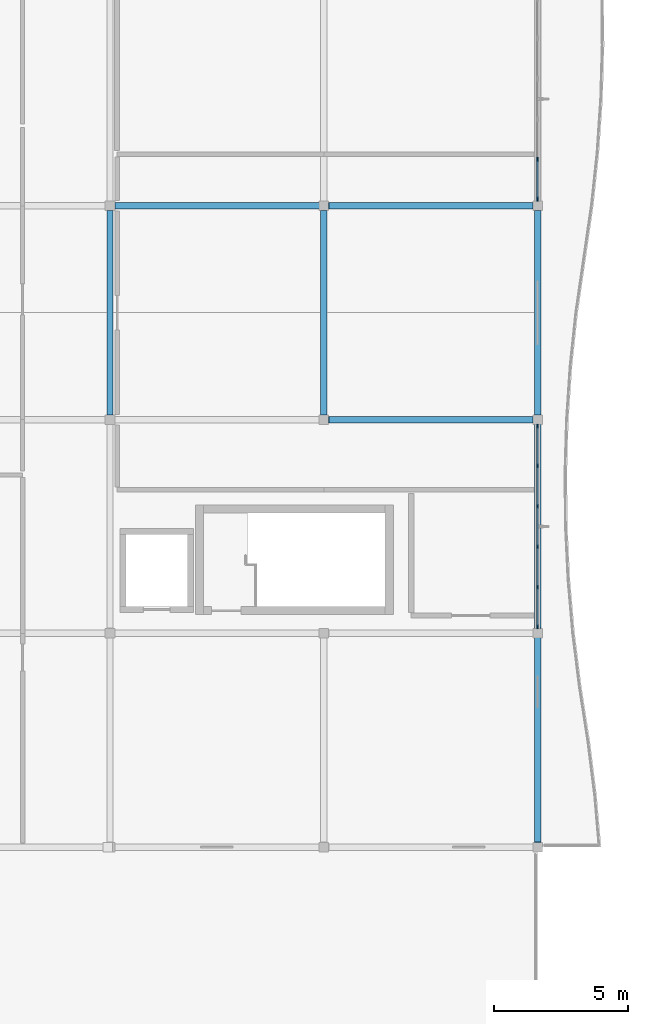
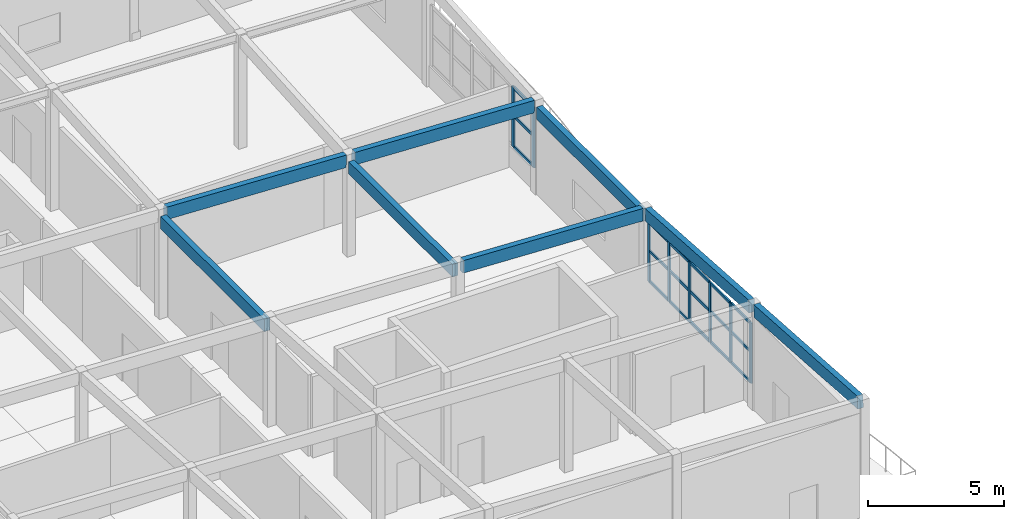
# One storey, part 6 of 52: 26 members, 8 beams, 2 elements without a shape of their own.
"""IFC4 building model written with IfcOpenShell, lengths in metres."""

from ifc_helpers import new_model, si_unit, direction, frame, origin, origin_2d, place, context, subcontext, project, spatial, rectangle, extrude, material, layer, layer_set, material_profile, profile_set, type_object, element, aggregate, save


model = new_model("IFC4")

# Units and contexts
model_context = context("Model", 3, precision=1e-05, world=origin(), true_north=direction((0.0, 1.0)))
body_context = subcontext(model_context, "Body", "Model", "MODEL_VIEW")
ifc_project = project(units=[si_unit("LENGTHUNIT", "METRE"), si_unit("AREAUNIT", "SQUARE_METRE"), si_unit("VOLUMEUNIT", "CUBIC_METRE"), si_unit("PLANEANGLEUNIT", "RADIAN"), si_unit("MASSUNIT", "GRAM", prefix="KILO")], contexts=[model_context])

# Site, building, storey
site_placement = place(None, origin())
site = spatial("IfcSite", under=ifc_project, at=site_placement, CompositionType="ELEMENT")
building_placement = place(site_placement, origin())
building = spatial("IfcBuilding", under=site, at=building_placement, Name="Tonlespit Floodbar School", CompositionType="ELEMENT")
storey_placement = place(building_placement, frame((0.0, 0.0, 12.300048828125)))
storey = spatial("IfcBuildingStorey", under=building, at=storey_placement, Name="L03", CompositionType="ELEMENT", Elevation=12.300048828125)

# Beams
ifc_material_1 = material(Name="Glulam GL28h", Category="wood")
ifc_material_profile_1 = material_profile(ifc_material_1, rectangle(XDim=0.239990234375, YDim=0.56005859375, at=origin_2d()), Name="GL 240x560")
ifc_profile_set_1 = profile_set([ifc_material_profile_1], Name="Glulam GL28h")
beam_type = type_object("IfcBeamType", Name="Beam_GL_240x560", PredefinedType="BEAM", material=ifc_profile_set_1)
for number, where, z_axis, x_axis, name in (
    (1, (28.179931640625, 72.0, 4.259521484375), (0.999091305073, 0.0, -0.042621169945), (0.0, 1.0, 0.0), "L03 girder 1154"),
    (2, (20.179931640625, 80.0, 4.6103515625), (0.999092664052, 0.0, -0.042589301906), (0.0, 1.0, 0.0), "L03 girder 1157"),
    (3, (28.179931640625, 80.0, 4.269287109375), (0.999091305073, 0.0, -0.042621169945), (0.0, 1.0, 0.0), "L03 girder 1158"),
):
    element("IfcBeam", number, at=place(storey_placement, frame(where, z_axis=z_axis, x_axis=x_axis)), inside=storey, type_object=beam_type, Name=name, PredefinedType="BEAM", context=body_context, shape_type="SweptSolid", body=[
        extrude(rectangle(XDim=0.239990234375, YDim=0.56005859375, at=origin_2d()), origin(), (0.0, 0.0, 1.0), 7.64697265625),
    ])
for number, where, z_axis, x_axis, name in (
    (4, (20.0, 72.179931640625, 4.34375), (0.0, 1.0, 0.0), (-1.0, 0.0, 0.0), "L03 girder 1210"),
    (5, (28.0, 72.179931640625, 4.00244140625), (0.0, 1.0, 0.0), (-1.0, 0.0, 0.0), "L03 girder 1214"),
):
    element("IfcBeam", number, at=place(storey_placement, frame(where, z_axis=z_axis, x_axis=x_axis)), inside=storey, type_object=beam_type, Name=name, PredefinedType="BEAM", context=body_context, shape_type="SweptSolid", body=[
        extrude(rectangle(XDim=0.239990234375, YDim=0.56005859375, at=origin_2d()), origin(), (0.0, 0.0, 1.0), 7.64013671875),
    ])
for number, where, z_axis, x_axis, name in (
    (6, (36.0, 56.179931640625, 4.972900390625), (0.0, 0.99781734868, -0.066034374932), (-1.0, 0.0, 0.0), "L03 girder 1217"),
    (7, (36.0, 64.179931640625, 4.443359375), (0.0, 0.99781734868, -0.066034374932), (-1.0, 0.0, 0.0), "L03 girder 1218"),
):
    element("IfcBeam", number, at=place(storey_placement, frame(where, z_axis=z_axis, x_axis=x_axis)), inside=storey, type_object=beam_type, Name=name, PredefinedType="BEAM", context=body_context, shape_type="SweptSolid", body=[
        extrude(rectangle(XDim=0.239990234375, YDim=0.56005859375, at=origin_2d()), origin(), (0.0, 0.0, 1.0), 7.65673828125),
    ])
beam_placement = place(storey_placement, frame((36.0, 72.179931640625, 3.6611328125), z_axis=(0.0, 1.0, 0.0), x_axis=(-1.0, 0.0, 0.0)))
element("IfcBeam", 8, at=beam_placement, inside=storey, type_object=beam_type, Name="L03 girder 1219", PredefinedType="BEAM", context=body_context, shape_type="SweptSolid", body=[
    extrude(rectangle(XDim=0.239990234375, YDim=0.56005859375, at=origin_2d()), origin(), (0.0, 0.0, 1.0), 7.64013671875),
])

# Curtain wall, members
ifc_material_2 = material(Name="Anodised Aluminium", Category="aluminium")
ifc_layer = layer(ifc_material_2, 0.159912109375)
ifc_layer_set = layer_set([ifc_layer], Name="Anodised Aluminium")
curtain_wall_type = type_object("IfcCurtainWallType", Name="CurtainWall_7550x2700", PredefinedType="NOTDEFINED", material=ifc_layer_set)
curtain_wall_1_placement = place(storey_placement, origin())
curtain_wall_1 = element("IfcCurtainWall", 9, at=curtain_wall_1_placement, inside=storey, type_object=curtain_wall_type, Name="L03 unitised curtain wall 0310", PredefinedType="NOTDEFINED")
ifc_material_profile_2 = material_profile(ifc_material_2, rectangle(XDim=0.06494140625, YDim=0.14990234375, at=origin_2d()), Name="ALU M65x150")
ifc_profile_set_2 = profile_set([ifc_material_profile_2], Name="Anodised Aluminium")
member_type_1 = type_object("IfcMemberType", Name="CW_Mullion_65x150", PredefinedType="MULLION", material=ifc_profile_set_2)
member_1_placement = place(storey_placement, frame((36.0, 71.74755859375, 0.949951171875), z_axis=(0.0, 0.0, 1.0), x_axis=(1.0, 0.0, 0.0)))
member_1 = element("IfcMember", 10, at=member_1_placement, type_object=member_type_1, Name="CW-48 mullion 1", PredefinedType="MULLION", context=body_context, shape_type="SweptSolid", body=[
    extrude(rectangle(XDim=0.06494140625, YDim=0.14990234375, at=origin_2d()), origin(), (0.0, 0.0, 1.0), 2.7080078125),
])
member_2_placement = place(storey_placement, frame((36.0, 70.26806640625, 0.949951171875), z_axis=(0.0, 0.0, 1.0), x_axis=(1.0, 0.0, 0.0)))
member_2 = element("IfcMember", 11, at=member_2_placement, type_object=member_type_1, Name="CW-48 mullion 2", PredefinedType="MULLION", context=body_context, shape_type="SweptSolid", body=[
    extrude(rectangle(XDim=0.06494140625, YDim=0.14990234375, at=origin_2d()), origin(), (0.0, 0.0, 1.0), 2.7080078125),
])
member_3_placement = place(storey_placement, frame((36.0, 68.756103515625, 0.949951171875), z_axis=(0.0, 0.0, 1.0), x_axis=(1.0, 0.0, 0.0)))
member_3 = element("IfcMember", 12, at=member_3_placement, type_object=member_type_1, Name="CW-48 mullion 3", PredefinedType="MULLION", context=body_context, shape_type="SweptSolid", body=[
    extrude(rectangle(XDim=0.06494140625, YDim=0.14990234375, at=origin_2d()), origin(), (0.0, 0.0, 1.0), 2.7080078125),
])
member_4_placement = place(storey_placement, frame((36.0, 67.243896484375, 0.949951171875), z_axis=(0.0, 0.0, 1.0), x_axis=(1.0, 0.0, 0.0)))
member_4 = element("IfcMember", 13, at=member_4_placement, type_object=member_type_1, Name="CW-48 mullion 4", PredefinedType="MULLION", context=body_context, shape_type="SweptSolid", body=[
    extrude(rectangle(XDim=0.06494140625, YDim=0.14990234375, at=origin_2d()), origin(), (0.0, 0.0, 1.0), 2.7080078125),
])
member_5_placement = place(storey_placement, frame((36.0, 65.73193359375, 0.949951171875), z_axis=(0.0, 0.0, 1.0), x_axis=(1.0, 0.0, 0.0)))
member_5 = element("IfcMember", 14, at=member_5_placement, type_object=member_type_1, Name="CW-48 mullion 5", PredefinedType="MULLION", context=body_context, shape_type="SweptSolid", body=[
    extrude(rectangle(XDim=0.06494140625, YDim=0.14990234375, at=origin_2d()), origin(), (0.0, 0.0, 1.0), 2.7080078125),
])
member_6_placement = place(storey_placement, frame((36.0, 64.25244140625, 0.949951171875), z_axis=(0.0, 0.0, 1.0), x_axis=(1.0, 0.0, 0.0)))
member_6 = element("IfcMember", 15, at=member_6_placement, type_object=member_type_1, Name="CW-48 mullion 6", PredefinedType="MULLION", context=body_context, shape_type="SweptSolid", body=[
    extrude(rectangle(XDim=0.06494140625, YDim=0.14990234375, at=origin_2d()), origin(), (0.0, 0.0, 1.0), 2.7080078125),
])

curtain_wall_2_placement = place(storey_placement, origin())
curtain_wall_2 = element("IfcCurtainWall", 16, at=curtain_wall_2_placement, inside=storey, type_object=curtain_wall_type, Name="L03 unitised curtain wall 0309", PredefinedType="NOTDEFINED")
ifc_material_profile_3 = material_profile(ifc_material_2, rectangle(XDim=0.06494140625, YDim=0.179931640625, at=origin_2d()), Name="ALU M65x180")
ifc_profile_set_3 = profile_set([ifc_material_profile_3], Name="Anodised Aluminium")
member_type_2 = type_object("IfcMemberType", Name="CW_Mullion_65x180", PredefinedType="MULLION", material=ifc_profile_set_3)
member_7_placement = place(storey_placement, frame((36.0, 81.73193359375, 0.949951171875), z_axis=(0.0, 0.0, 1.0), x_axis=(1.0, 0.0, 0.0)))
member_7 = element("IfcMember", 17, at=member_7_placement, type_object=member_type_2, Name="CW-48 mullion 5", PredefinedType="MULLION", context=body_context, shape_type="SweptSolid", body=[
    extrude(rectangle(XDim=0.06494140625, YDim=0.179931640625, at=origin_2d()), origin(), (0.0, 0.0, 1.0), 2.71826171875),
])
member_8_placement = place(storey_placement, frame((36.0, 80.25244140625, 0.949951171875), z_axis=(0.0, 0.0, 1.0), x_axis=(1.0, 0.0, 0.0)))
member_8 = element("IfcMember", 18, at=member_8_placement, type_object=member_type_2, Name="CW-48 mullion 6", PredefinedType="MULLION", context=body_context, shape_type="SweptSolid", body=[
    extrude(rectangle(XDim=0.06494140625, YDim=0.179931640625, at=origin_2d()), origin(), (0.0, 0.0, 1.0), 2.71826171875),
])

# Member
ifc_material_profile_4 = material_profile(ifc_material_2, rectangle(XDim=0.06494140625, YDim=0.1201171875, at=origin_2d()), Name="ALU T65x120")
ifc_profile_set_4 = profile_set([ifc_material_profile_4], Name="Anodised Aluminium")
member_type_3 = type_object("IfcMemberType", Name="CW_Transom_65x120", PredefinedType="USERDEFINED", material=ifc_profile_set_4)
member_9_placement = place(storey_placement, frame((36.0, 71.715087890625, 0.982421875), z_axis=(0.0, -1.0, 0.0), x_axis=(1.0, 0.0, 0.0)))
member_9 = element("IfcMember", 19, at=member_9_placement, type_object=member_type_3, Name="CW-48 transom 1.1", ObjectType="TRANSOM", PredefinedType="USERDEFINED", context=body_context, shape_type="SweptSolid", body=[
    extrude(rectangle(XDim=0.06494140625, YDim=0.1201171875, at=origin_2d()), origin(), (0.0, 0.0, 1.0), 1.41455078125),
])

member_10_placement = place(storey_placement, frame((36.0, 71.715087890625, 2.358154296875), z_axis=(0.0, -1.0, 0.0), x_axis=(1.0, 0.0, 0.0)))
member_10 = element("IfcMember", 20, at=member_10_placement, type_object=member_type_3, Name="CW-48 transom 1.2", ObjectType="TRANSOM", PredefinedType="USERDEFINED", context=body_context, shape_type="SweptSolid", body=[
    extrude(rectangle(XDim=0.06494140625, YDim=0.1201171875, at=origin_2d()), origin(), (0.0, 0.0, 1.0), 1.41455078125),
])

member_11_placement = place(storey_placement, frame((36.0, 71.715087890625, 3.625244140625), z_axis=(0.0, -1.0, 0.0), x_axis=(1.0, 0.0, 0.0)))
member_11 = element("IfcMember", 21, at=member_11_placement, type_object=member_type_3, Name="CW-48 transom 1.3", ObjectType="TRANSOM", PredefinedType="USERDEFINED", context=body_context, shape_type="SweptSolid", body=[
    extrude(rectangle(XDim=0.06494140625, YDim=0.1201171875, at=origin_2d()), origin(), (0.0, 0.0, 1.0), 1.41455078125),
])

member_12_placement = place(storey_placement, frame((36.0, 70.235595703125, 0.982421875), z_axis=(0.0, -1.0, 0.0), x_axis=(1.0, 0.0, 0.0)))
member_12 = element("IfcMember", 22, at=member_12_placement, type_object=member_type_3, Name="CW-48 transom 2.1", ObjectType="TRANSOM", PredefinedType="USERDEFINED", context=body_context, shape_type="SweptSolid", body=[
    extrude(rectangle(XDim=0.06494140625, YDim=0.1201171875, at=origin_2d()), origin(), (0.0, 0.0, 1.0), 1.447021484375),
])

member_13_placement = place(storey_placement, frame((36.0, 70.235595703125, 2.358154296875), z_axis=(0.0, -1.0, 0.0), x_axis=(1.0, 0.0, 0.0)))
member_13 = element("IfcMember", 23, at=member_13_placement, type_object=member_type_3, Name="CW-48 transom 2.2", ObjectType="TRANSOM", PredefinedType="USERDEFINED", context=body_context, shape_type="SweptSolid", body=[
    extrude(rectangle(XDim=0.06494140625, YDim=0.1201171875, at=origin_2d()), origin(), (0.0, 0.0, 1.0), 1.447021484375),
])

member_14_placement = place(storey_placement, frame((36.0, 70.235595703125, 3.625244140625), z_axis=(0.0, -1.0, 0.0), x_axis=(1.0, 0.0, 0.0)))
member_14 = element("IfcMember", 24, at=member_14_placement, type_object=member_type_3, Name="CW-48 transom 2.3", ObjectType="TRANSOM", PredefinedType="USERDEFINED", context=body_context, shape_type="SweptSolid", body=[
    extrude(rectangle(XDim=0.06494140625, YDim=0.1201171875, at=origin_2d()), origin(), (0.0, 0.0, 1.0), 1.447021484375),
])

member_15_placement = place(storey_placement, frame((36.0, 68.723388671875, 0.982421875), z_axis=(0.0, -1.0, 0.0), x_axis=(1.0, 0.0, 0.0)))
member_15 = element("IfcMember", 25, at=member_15_placement, type_object=member_type_3, Name="CW-48 transom 3.1", ObjectType="TRANSOM", PredefinedType="USERDEFINED", context=body_context, shape_type="SweptSolid", body=[
    extrude(rectangle(XDim=0.06494140625, YDim=0.1201171875, at=origin_2d()), origin(), (0.0, 0.0, 1.0), 1.44677734375),
])

member_16_placement = place(storey_placement, frame((36.0, 68.723388671875, 2.358154296875), z_axis=(0.0, -1.0, 0.0), x_axis=(1.0, 0.0, 0.0)))
member_16 = element("IfcMember", 26, at=member_16_placement, type_object=member_type_3, Name="CW-48 transom 3.2", ObjectType="TRANSOM", PredefinedType="USERDEFINED", context=body_context, shape_type="SweptSolid", body=[
    extrude(rectangle(XDim=0.06494140625, YDim=0.1201171875, at=origin_2d()), origin(), (0.0, 0.0, 1.0), 1.44677734375),
])

member_17_placement = place(storey_placement, frame((36.0, 68.723388671875, 3.625244140625), z_axis=(0.0, -1.0, 0.0), x_axis=(1.0, 0.0, 0.0)))
member_17 = element("IfcMember", 27, at=member_17_placement, type_object=member_type_3, Name="CW-48 transom 3.3", ObjectType="TRANSOM", PredefinedType="USERDEFINED", context=body_context, shape_type="SweptSolid", body=[
    extrude(rectangle(XDim=0.06494140625, YDim=0.1201171875, at=origin_2d()), origin(), (0.0, 0.0, 1.0), 1.44677734375),
])

member_18_placement = place(storey_placement, frame((36.0, 67.21142578125, 0.982421875), z_axis=(0.0, -1.0, 0.0), x_axis=(1.0, 0.0, 0.0)))
member_18 = element("IfcMember", 28, at=member_18_placement, type_object=member_type_3, Name="CW-48 transom 4.1", ObjectType="TRANSOM", PredefinedType="USERDEFINED", context=body_context, shape_type="SweptSolid", body=[
    extrude(rectangle(XDim=0.06494140625, YDim=0.1201171875, at=origin_2d()), origin(), (0.0, 0.0, 1.0), 1.447021484375),
])

member_19_placement = place(storey_placement, frame((36.0, 67.21142578125, 2.358154296875), z_axis=(0.0, -1.0, 0.0), x_axis=(1.0, 0.0, 0.0)))
member_19 = element("IfcMember", 29, at=member_19_placement, type_object=member_type_3, Name="CW-48 transom 4.2", ObjectType="TRANSOM", PredefinedType="USERDEFINED", context=body_context, shape_type="SweptSolid", body=[
    extrude(rectangle(XDim=0.06494140625, YDim=0.1201171875, at=origin_2d()), origin(), (0.0, 0.0, 1.0), 1.447021484375),
])

member_20_placement = place(storey_placement, frame((36.0, 67.21142578125, 3.625244140625), z_axis=(0.0, -1.0, 0.0), x_axis=(1.0, 0.0, 0.0)))
member_20 = element("IfcMember", 30, at=member_20_placement, type_object=member_type_3, Name="CW-48 transom 4.3", ObjectType="TRANSOM", PredefinedType="USERDEFINED", context=body_context, shape_type="SweptSolid", body=[
    extrude(rectangle(XDim=0.06494140625, YDim=0.1201171875, at=origin_2d()), origin(), (0.0, 0.0, 1.0), 1.447021484375),
])

member_21_placement = place(storey_placement, frame((36.0, 65.699462890625, 0.982421875), z_axis=(0.0, -1.0, 0.0), x_axis=(1.0, 0.0, 0.0)))
member_21 = element("IfcMember", 31, at=member_21_placement, type_object=member_type_3, Name="CW-48 transom 5.1", ObjectType="TRANSOM", PredefinedType="USERDEFINED", context=body_context, shape_type="SweptSolid", body=[
    extrude(rectangle(XDim=0.06494140625, YDim=0.1201171875, at=origin_2d()), origin(), (0.0, 0.0, 1.0), 1.41455078125),
])

member_22_placement = place(storey_placement, frame((36.0, 65.699462890625, 2.358154296875), z_axis=(0.0, -1.0, 0.0), x_axis=(1.0, 0.0, 0.0)))
member_22 = element("IfcMember", 32, at=member_22_placement, type_object=member_type_3, Name="CW-48 transom 5.2", ObjectType="TRANSOM", PredefinedType="USERDEFINED", context=body_context, shape_type="SweptSolid", body=[
    extrude(rectangle(XDim=0.06494140625, YDim=0.1201171875, at=origin_2d()), origin(), (0.0, 0.0, 1.0), 1.41455078125),
])

member_23_placement = place(storey_placement, frame((36.0, 65.699462890625, 3.625244140625), z_axis=(0.0, -1.0, 0.0), x_axis=(1.0, 0.0, 0.0)))
member_23 = element("IfcMember", 33, at=member_23_placement, type_object=member_type_3, Name="CW-48 transom 5.3", ObjectType="TRANSOM", PredefinedType="USERDEFINED", context=body_context, shape_type="SweptSolid", body=[
    extrude(rectangle(XDim=0.06494140625, YDim=0.1201171875, at=origin_2d()), origin(), (0.0, 0.0, 1.0), 1.41455078125),
])

aggregate(curtain_wall_1, [member_1, member_2, member_3, member_4, member_5, member_6, member_9, member_10, member_11, member_12, member_13, member_14, member_15, member_16, member_17, member_18, member_19, member_20, member_21, member_22, member_23])

ifc_material_profile_5 = material_profile(ifc_material_2, rectangle(XDim=0.06494140625, YDim=0.139892578125, at=origin_2d()), Name="ALU T65x140")
ifc_profile_set_5 = profile_set([ifc_material_profile_5], Name="Anodised Aluminium")
member_type_4 = type_object("IfcMemberType", Name="CW_Transom_65x140", PredefinedType="USERDEFINED", material=ifc_profile_set_5)
member_24_placement = place(storey_placement, frame((36.0, 81.699462890625, 0.982421875), z_axis=(0.0, -1.0, 0.0), x_axis=(1.0, 0.0, 0.0)))
member_24 = element("IfcMember", 34, at=member_24_placement, type_object=member_type_4, Name="CW-48 transom 5.1", ObjectType="TRANSOM", PredefinedType="USERDEFINED", context=body_context, shape_type="SweptSolid", body=[
    extrude(rectangle(XDim=0.06494140625, YDim=0.139892578125, at=origin_2d()), origin(), (0.0, 0.0, 1.0), 1.41455078125),
])

member_25_placement = place(storey_placement, frame((36.0, 81.699462890625, 2.363525390625), z_axis=(0.0, -1.0, 0.0), x_axis=(1.0, 0.0, 0.0)))
member_25 = element("IfcMember", 35, at=member_25_placement, type_object=member_type_4, Name="CW-48 transom 5.2", ObjectType="TRANSOM", PredefinedType="USERDEFINED", context=body_context, shape_type="SweptSolid", body=[
    extrude(rectangle(XDim=0.06494140625, YDim=0.139892578125, at=origin_2d()), origin(), (0.0, 0.0, 1.0), 1.41455078125),
])

member_26_placement = place(storey_placement, frame((36.0, 81.699462890625, 3.6357421875), z_axis=(0.0, -1.0, 0.0), x_axis=(1.0, 0.0, 0.0)))
member_26 = element("IfcMember", 36, at=member_26_placement, type_object=member_type_4, Name="CW-48 transom 5.3", ObjectType="TRANSOM", PredefinedType="USERDEFINED", context=body_context, shape_type="SweptSolid", body=[
    extrude(rectangle(XDim=0.06494140625, YDim=0.139892578125, at=origin_2d()), origin(), (0.0, 0.0, 1.0), 1.41455078125),
])

aggregate(curtain_wall_2, [member_7, member_8, member_24, member_25, member_26])

save(model, "model.ifc")
